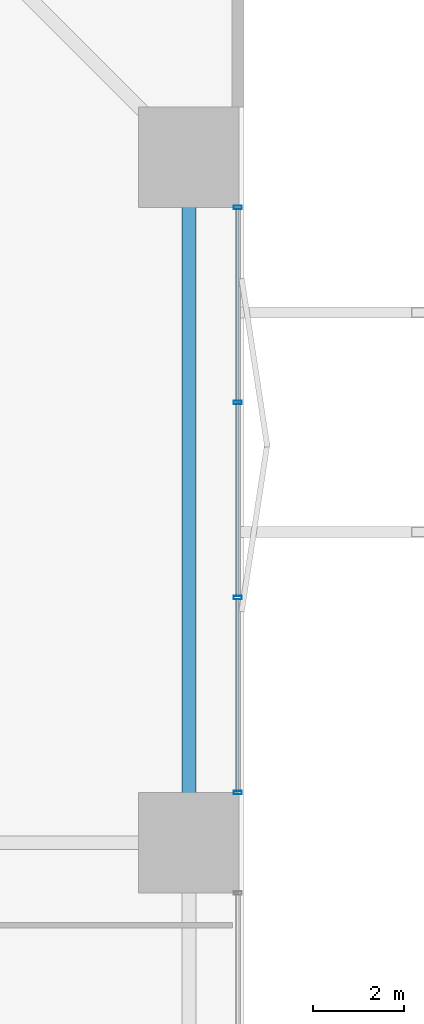
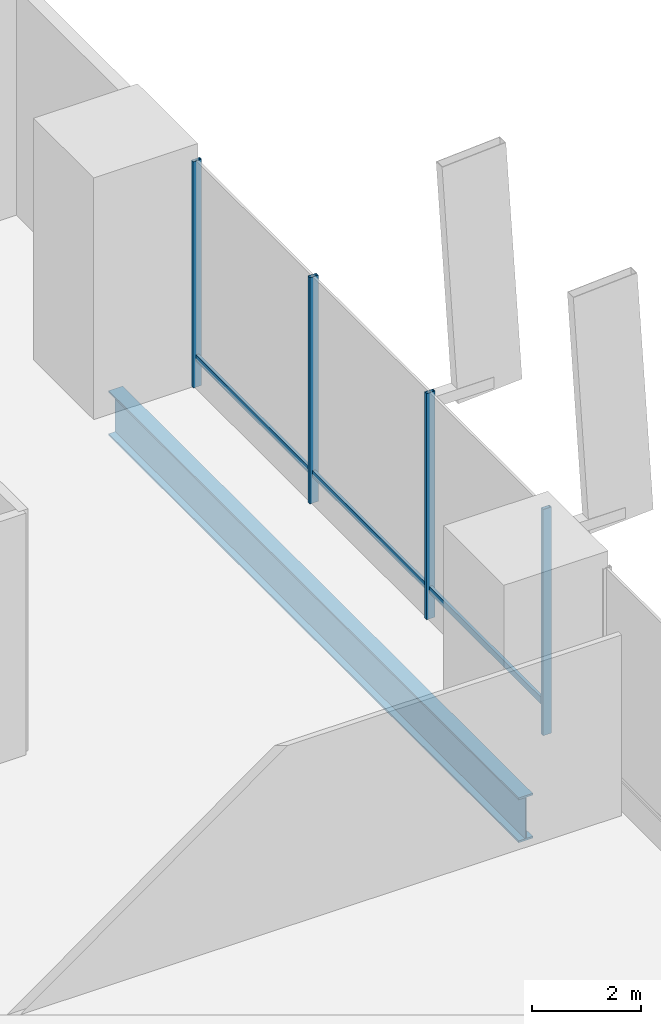
# One storey, part 15 of 24: 7 members, 1 beam, 1 element without a shape of its own.
"""IFC4 building model written with IfcOpenShell, lengths in metres."""

from ifc_helpers import new_model, si_unit, direction, frame, origin, origin_2d, place, context, subcontext, project, spatial, hollow_rectangle, i_section, extrude, material, layer, layer_set, material_profile, profile_set, type_object, element, aggregate, save


model = new_model("IFC4")

# Units and contexts
model_context = context("Model", 3, precision=1e-05, world=origin(), true_north=direction((0.0, 1.0)))
body_context = subcontext(model_context, "Body", "Model", "MODEL_VIEW")
ifc_project = project(units=[si_unit("LENGTHUNIT", "METRE"), si_unit("AREAUNIT", "SQUARE_METRE"), si_unit("VOLUMEUNIT", "CUBIC_METRE"), si_unit("PLANEANGLEUNIT", "RADIAN"), si_unit("MASSUNIT", "GRAM", prefix="KILO")], contexts=[model_context])

# Site, building, storey
site_placement = place(None, origin())
site = spatial("IfcSite", under=ifc_project, at=site_placement, CompositionType="ELEMENT")
building_placement = place(site_placement, origin())
building = spatial("IfcBuilding", under=site, at=building_placement, Name="Belovzor Exchange Tower", CompositionType="ELEMENT")
storey_placement = place(building_placement, frame((0.0, 0.0, 8.39990234375)))
storey = spatial("IfcBuildingStorey", under=building, at=storey_placement, Name="L02", CompositionType="ELEMENT", Elevation=8.39990234375)

# Beam
ifc_material_1 = material(Name="Steel S460", Category="steel")
ifc_material_profile_1 = material_profile(ifc_material_1, i_section(OverallWidth=0.300048828125, OverallDepth=1.0, WebThickness=0.02099609375, FlangeThickness=0.0400390625, at=origin_2d()))
ifc_profile_set_1 = profile_set([ifc_material_profile_1], Name="Steel S460")
beam_type = type_object("IfcBeamType", Name="Podium Exchange Hall Ring Girder HEM 1000", PredefinedType="BEAM", material=ifc_profile_set_1)
beam_placement = place(storey_placement, frame((55.800048828125, 28.800048828125, -0.849853515625), z_axis=(0.0, 1.0, 0.0), x_axis=(-1.0, 0.0, 0.0)))
element("IfcBeam", 1, at=beam_placement, inside=storey, type_object=beam_type, Name="PG-1 Podium Exchange Hall Ring Girder HEM 1000", PredefinedType="BEAM", context=body_context, shape_type="SweptSolid", body=[
    extrude(i_section(OverallWidth=0.300048828125, OverallDepth=1.0, WebThickness=0.02099609375, FlangeThickness=0.0400390625, at=origin_2d()), origin(), (0.0, 0.0, 1.0), 15.0),
])

# Curtain wall, members
ifc_material_2 = material(Name="Anodised Aluminium Framing", Category="aluminium")
ifc_layer = layer(ifc_material_2, 0.219970703125)
ifc_layer_set = layer_set([ifc_layer], Name="Anodised Aluminium Framing")
curtain_wall_type = type_object("IfcCurtainWallType", Name="Podium Clear-Span Exchange Hall Unitised Curtain Wall", PredefinedType="NOTDEFINED", material=ifc_layer_set)
curtain_wall_placement = place(storey_placement, origin())
curtain_wall = element("IfcCurtainWall", 2, at=curtain_wall_placement, inside=storey, type_object=curtain_wall_type, Name="CW1 Podium Clear-Span Exchange Hall Unitised Curtain Wall L02", PredefinedType="NOTDEFINED")
ifc_material_3 = material(Name="Steel S355", Category="steel")
ifc_material_profile_2 = material_profile(ifc_material_3, hollow_rectangle(XDim=0.074951171875, YDim=0.179931640625, WallThickness=0.0048828125, at=origin_2d()))
ifc_profile_set_2 = profile_set([ifc_material_profile_2], Name="Steel S355")
member_type_1 = type_object("IfcMemberType", Name="Thermally Broken Curtain Wall Mullion 180x75", PredefinedType="MULLION", material=ifc_profile_set_2)
member_1_placement = place(storey_placement, frame((56.8701171875, 42.699951171875, 0.0), z_axis=(0.0, 0.0, 1.0), x_axis=(0.0, -1.0, 0.0)))
member_1 = element("IfcMember", 3, at=member_1_placement, type_object=member_type_1, Name="CW-M180 Curtain Wall Mullion 1", PredefinedType="MULLION", context=body_context, shape_type="SweptSolid", body=[
    extrude(hollow_rectangle(XDim=0.074951171875, YDim=0.179931640625, WallThickness=0.0048828125, at=origin_2d()), origin(), (0.0, 0.0, 1.0), 5.050048828125),
])
member_2_placement = place(storey_placement, frame((56.8701171875, 38.43310546875, 0.0), z_axis=(0.0, 0.0, 1.0), x_axis=(0.0, -1.0, 0.0)))
member_2 = element("IfcMember", 4, at=member_2_placement, type_object=member_type_1, Name="CW-M180 Curtain Wall Mullion 2", PredefinedType="MULLION", context=body_context, shape_type="SweptSolid", body=[
    extrude(hollow_rectangle(XDim=0.074951171875, YDim=0.179931640625, WallThickness=0.0048828125, at=origin_2d()), origin(), (0.0, 0.0, 1.0), 5.050048828125),
])
member_3_placement = place(storey_placement, frame((56.8701171875, 34.1669921875, 0.0), z_axis=(0.0, 0.0, 1.0), x_axis=(0.0, -1.0, 0.0)))
member_3 = element("IfcMember", 5, at=member_3_placement, type_object=member_type_1, Name="CW-M180 Curtain Wall Mullion 3", PredefinedType="MULLION", context=body_context, shape_type="SweptSolid", body=[
    extrude(hollow_rectangle(XDim=0.074951171875, YDim=0.179931640625, WallThickness=0.0048828125, at=origin_2d()), origin(), (0.0, 0.0, 1.0), 5.050048828125),
])
member_4_placement = place(storey_placement, frame((56.8701171875, 29.89990234375, 0.0), z_axis=(0.0, 0.0, 1.0), x_axis=(0.0, -1.0, 0.0)))
member_4 = element("IfcMember", 6, at=member_4_placement, type_object=member_type_1, Name="CW-M180 Curtain Wall Mullion 4", PredefinedType="MULLION", context=body_context, shape_type="SweptSolid", body=[
    extrude(hollow_rectangle(XDim=0.074951171875, YDim=0.179931640625, WallThickness=0.0048828125, at=origin_2d()), origin(), (0.0, 0.0, 1.0), 5.050048828125),
])
ifc_material_4 = material(Name="Steel S355", Category="steel")
ifc_material_profile_3 = material_profile(ifc_material_4, hollow_rectangle(XDim=0.06005859375, YDim=0.14990234375, WallThickness=0.00390625, at=origin_2d()))
ifc_profile_set_3 = profile_set([ifc_material_profile_3], Name="Steel S355")
member_type_2 = type_object("IfcMemberType", Name="Thermally Broken Curtain Wall Transom 150x60", PredefinedType="USERDEFINED", material=ifc_profile_set_3)
member_5_placement = place(storey_placement, frame((56.8701171875, 42.69189453125, 0.650146484375), z_axis=(0.0, -1.0, 0.0), x_axis=(1.0, 0.0, 0.0)))
member_5 = element("IfcMember", 7, at=member_5_placement, type_object=member_type_2, Name="CW-T150 Curtain Wall Transom 1", ObjectType="TRANSOM", PredefinedType="USERDEFINED", context=body_context, shape_type="SweptSolid", body=[
    extrude(hollow_rectangle(XDim=0.06005859375, YDim=0.14990234375, WallThickness=0.00390625, at=origin_2d()), origin(), (0.0, 0.0, 1.0), 4.2509765625),
])
member_6_placement = place(storey_placement, frame((56.8701171875, 38.425048828125, 0.650146484375), z_axis=(0.0, -1.0, 0.0), x_axis=(1.0, 0.0, 0.0)))
member_6 = element("IfcMember", 8, at=member_6_placement, type_object=member_type_2, Name="CW-T150 Curtain Wall Transom 2", ObjectType="TRANSOM", PredefinedType="USERDEFINED", context=body_context, shape_type="SweptSolid", body=[
    extrude(hollow_rectangle(XDim=0.06005859375, YDim=0.14990234375, WallThickness=0.00390625, at=origin_2d()), origin(), (0.0, 0.0, 1.0), 4.25),
])
member_7_placement = place(storey_placement, frame((56.8701171875, 34.158935546875, 0.650146484375), z_axis=(0.0, -1.0, 0.0), x_axis=(1.0, 0.0, 0.0)))
member_7 = element("IfcMember", 9, at=member_7_placement, type_object=member_type_2, Name="CW-T150 Curtain Wall Transom 3", ObjectType="TRANSOM", PredefinedType="USERDEFINED", context=body_context, shape_type="SweptSolid", body=[
    extrude(hollow_rectangle(XDim=0.06005859375, YDim=0.14990234375, WallThickness=0.00390625, at=origin_2d()), origin(), (0.0, 0.0, 1.0), 4.2509765625),
])
aggregate(curtain_wall, [member_1, member_2, member_3, member_4, member_5, member_6, member_7])

save(model, "model.ifc")
